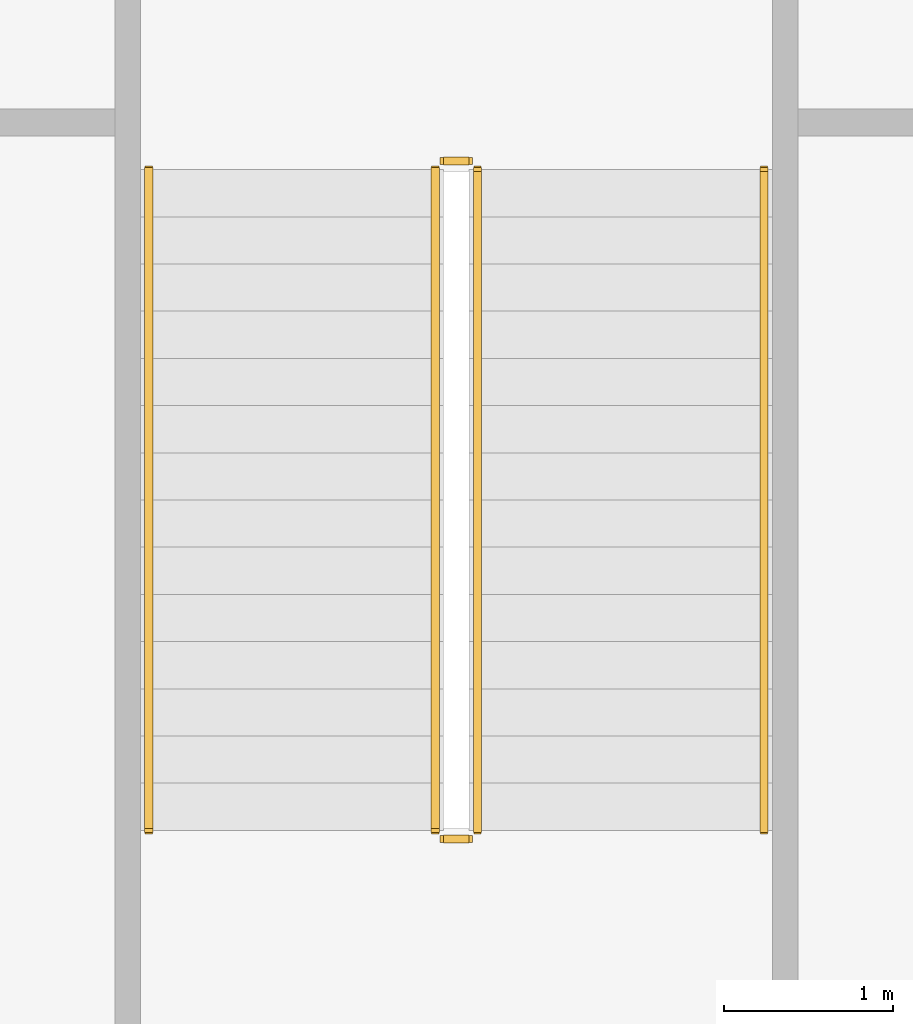
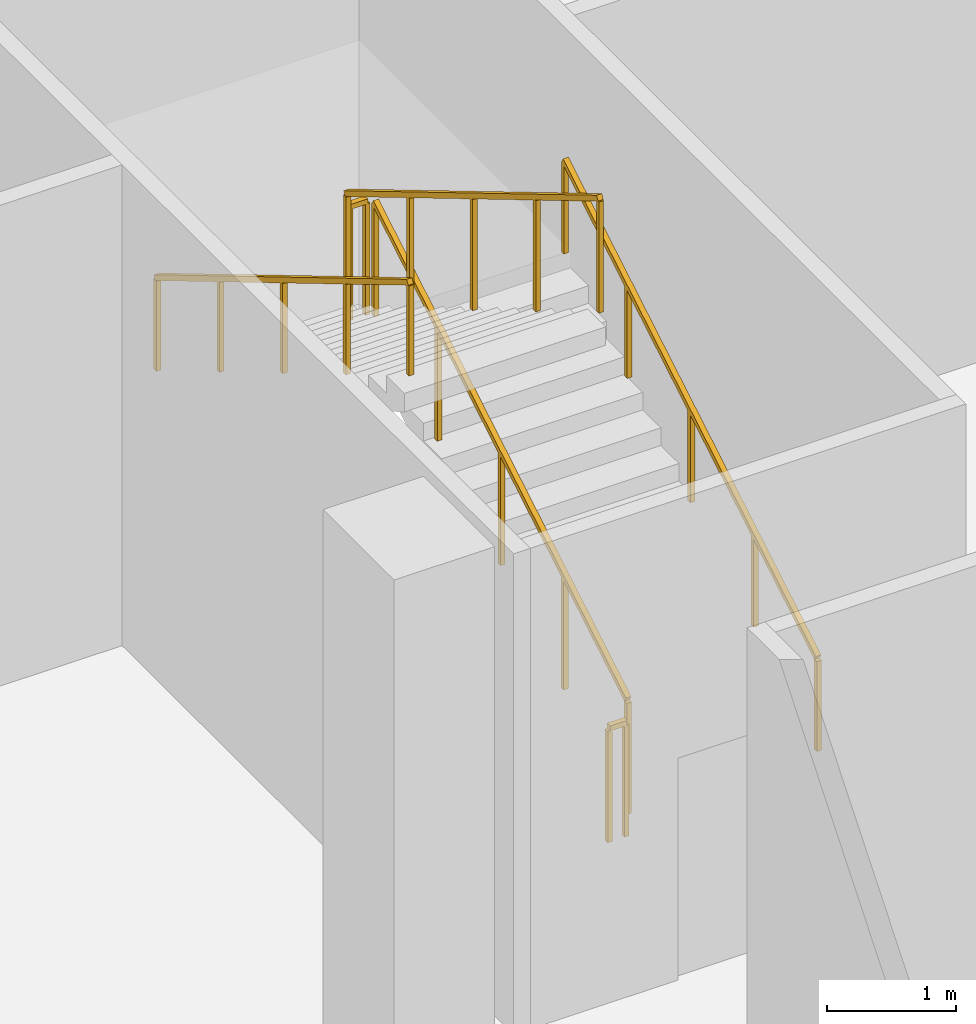
# One storey, part 12 of 15: 6 railings.
"""IFC4 building model written with IfcOpenShell, lengths in metres."""

from ifc_helpers import new_model, si_unit, direction, frame, origin, origin_2d, place, context, subcontext, project, spatial, rectangle, extrude, material, type_object, element, save


model = new_model("IFC4")

# Units and contexts
model_context = context("Model", 3, precision=1e-05, world=origin(), true_north=direction((0.0, 1.0)))
body_context = subcontext(model_context, "Body", "Model", "MODEL_VIEW")
ifc_project = project(units=[si_unit("LENGTHUNIT", "METRE"), si_unit("AREAUNIT", "SQUARE_METRE"), si_unit("VOLUMEUNIT", "CUBIC_METRE"), si_unit("PLANEANGLEUNIT", "RADIAN"), si_unit("MASSUNIT", "GRAM", prefix="KILO")], contexts=[model_context])

# Site, building, storey
site_placement = place(None, origin())
site = spatial("IfcSite", under=ifc_project, at=site_placement, CompositionType="ELEMENT")
building_placement = place(site_placement, origin())
building = spatial("IfcBuilding", under=site, at=building_placement, Name="Alderwake Tower", CompositionType="ELEMENT")
storey_placement = place(building_placement, frame((0.0, 0.0, 13.5)))
storey = spatial("IfcBuildingStorey", under=building, at=storey_placement, Name="L02", CompositionType="ELEMENT", Elevation=13.5)

# Railings
ifc_material_1 = material(Name="Stainless steel guard", Category="steel")
railing_type_1 = type_object("IfcRailingType", Name="Stair guard 1100", PredefinedType="GUARDRAIL", material=ifc_material_1)
railing_1_placement = place(storey_placement, frame((67.0, 25.800048828125, 0.166748046875)))
element("IfcRailing", 1, at=railing_1_placement, inside=storey, type_object=railing_type_1, Name="L02 ST-P4 stair guard 1", PredefinedType="GUARDRAIL", context=body_context, shape_type="SweptSolid", body=[
    extrude(rectangle(XDim=0.048095703125, YDim=0.048095703125, at=origin_2d()), frame((0.0, 0.0, 1.076171875), z_axis=(0.0, 0.859296244711, 0.511478214419), x_axis=(-1.0, 0.0, 0.0)), (0.0, 0.0, 1.0), 4.561767578125),
    extrude(rectangle(XDim=0.0419921875, YDim=0.0419921875, at=origin_2d()), frame((0.0, 0.0, 0.0), z_axis=(0.0, 0.0, 1.0), x_axis=(0.0, 1.0, 0.0)), (0.0, 0.0, 1.0), 1.052001953125),
    extrude(rectangle(XDim=0.0419921875, YDim=0.0419921875, at=origin_2d()), frame((0.0, 0.97998046875, 0.583251953125), z_axis=(0.0, 0.0, 1.0), x_axis=(0.0, 1.0, 0.0)), (0.0, 0.0, 1.0), 1.052001953125),
    extrude(rectangle(XDim=0.0419921875, YDim=0.0419921875, at=origin_2d()), frame((0.0, 1.9599609375, 1.16650390625), z_axis=(0.0, 0.0, 1.0), x_axis=(0.0, 1.0, 0.0)), (0.0, 0.0, 1.0), 1.052001953125),
    extrude(rectangle(XDim=0.0419921875, YDim=0.0419921875, at=origin_2d()), frame((0.0, 2.93994140625, 1.75), z_axis=(0.0, 0.0, 1.0), x_axis=(0.0, 1.0, 0.0)), (0.0, 0.0, 1.0), 1.052001953125),
    extrude(rectangle(XDim=0.0419921875, YDim=0.0419921875, at=origin_2d()), frame((0.0, 3.919921875, 2.333251953125), z_axis=(0.0, 0.0, 1.0), x_axis=(0.0, 1.0, 0.0)), (0.0, 0.0, 1.0), 1.052001953125),
])
railing_2_placement = place(storey_placement, frame((66.949951171875, 29.77001953125, 2.5)))
element("IfcRailing", 2, at=railing_2_placement, inside=storey, type_object=railing_type_1, Name="L02 ST-P4 stair guard 2", PredefinedType="GUARDRAIL", context=body_context, shape_type="SweptSolid", body=[
    extrude(rectangle(XDim=0.048095703125, YDim=0.048095703125, at=origin_2d()), frame((0.0, 0.0, 1.076171875), z_axis=(-1.0, 0.0, 0.0), x_axis=(0.0, -1.0, 0.0)), (0.0, 0.0, 1.0), 0.14990234375),
    extrude(rectangle(XDim=0.0419921875, YDim=0.0419921875, at=origin_2d()), frame((0.0, 0.0, 0.0), z_axis=(0.0, 0.0, 1.0), x_axis=(-1.0, 0.0, 0.0)), (0.0, 0.0, 1.0), 1.052001953125),
    extrude(rectangle(XDim=0.0419921875, YDim=0.0419921875, at=origin_2d()), frame((-0.14990234375, 0.0, 0.0), z_axis=(0.0, 0.0, 1.0), x_axis=(-1.0, 0.0, 0.0)), (0.0, 0.0, 1.0), 1.052001953125),
])
railing_3_placement = place(storey_placement, frame((66.75, 29.719970703125, 2.666748046875)))
element("IfcRailing", 3, at=railing_3_placement, inside=storey, type_object=railing_type_1, Name="L02 ST-P4 stair guard 3", PredefinedType="GUARDRAIL", context=body_context, shape_type="SweptSolid", body=[
    extrude(rectangle(XDim=0.048095703125, YDim=0.048095703125, at=origin_2d()), frame((0.0, 0.0, 1.076171875), z_axis=(0.0, -0.859296244711, 0.511478214419), x_axis=(1.0, 0.0, 0.0)), (0.0, 0.0, 1.0), 4.561767578125),
    extrude(rectangle(XDim=0.0419921875, YDim=0.0419921875, at=origin_2d()), frame((0.0, 0.0, 0.0), z_axis=(0.0, 0.0, 1.0), x_axis=(0.0, -1.0, 0.0)), (0.0, 0.0, 1.0), 1.052001953125),
    extrude(rectangle(XDim=0.0419921875, YDim=0.0419921875, at=origin_2d()), frame((0.0, -0.97998046875, 0.583251953125), z_axis=(0.0, 0.0, 1.0), x_axis=(0.0, -1.0, 0.0)), (0.0, 0.0, 1.0), 1.052001953125),
    extrude(rectangle(XDim=0.0419921875, YDim=0.0419921875, at=origin_2d()), frame((0.0, -1.9599609375, 1.16650390625), z_axis=(0.0, 0.0, 1.0), x_axis=(0.0, -1.0, 0.0)), (0.0, 0.0, 1.0), 1.052001953125),
    extrude(rectangle(XDim=0.0419921875, YDim=0.0419921875, at=origin_2d()), frame((0.0, -2.93994140625, 1.75), z_axis=(0.0, 0.0, 1.0), x_axis=(0.0, -1.0, 0.0)), (0.0, 0.0, 1.0), 1.052001953125),
    extrude(rectangle(XDim=0.0419921875, YDim=0.0419921875, at=origin_2d()), frame((0.0, -3.919921875, 2.333251953125), z_axis=(0.0, 0.0, 1.0), x_axis=(0.0, -1.0, 0.0)), (0.0, 0.0, 1.0), 1.052001953125),
])
railing_4_placement = place(storey_placement, frame((66.949951171875, 25.75, 0.0)))
element("IfcRailing", 4, at=railing_4_placement, inside=storey, type_object=railing_type_1, Name="L02 ST-P4 stair guard 4", PredefinedType="GUARDRAIL", context=body_context, shape_type="SweptSolid", body=[
    extrude(rectangle(XDim=0.048095703125, YDim=0.048095703125, at=origin_2d()), frame((0.0, 0.0, 1.076171875), z_axis=(-1.0, 0.0, 0.0), x_axis=(0.0, -1.0, 0.0)), (0.0, 0.0, 1.0), 0.14990234375),
    extrude(rectangle(XDim=0.0419921875, YDim=0.0419921875, at=origin_2d()), frame((0.0, 0.0, 0.0), z_axis=(0.0, 0.0, 1.0), x_axis=(-1.0, 0.0, 0.0)), (0.0, 0.0, 1.0), 1.052001953125),
    extrude(rectangle(XDim=0.0419921875, YDim=0.0419921875, at=origin_2d()), frame((-0.14990234375, 0.0, 0.0), z_axis=(0.0, 0.0, 1.0), x_axis=(-1.0, 0.0, 0.0)), (0.0, 0.0, 1.0), 1.052001953125),
])
ifc_material_2 = material(Name="Stainless steel handrail", Category="steel")
railing_type_2 = type_object("IfcRailingType", Name="Stair handrail 900", PredefinedType="HANDRAIL", material=ifc_material_2)
railing_5_placement = place(storey_placement, frame((68.699951171875, 25.800048828125, 0.166748046875)))
element("IfcRailing", 5, at=railing_5_placement, inside=storey, type_object=railing_type_2, Name="L02 ST-P4 stair handrail 1", PredefinedType="HANDRAIL", context=body_context, shape_type="SweptSolid", body=[
    extrude(rectangle(XDim=0.048095703125, YDim=0.048095703125, at=origin_2d()), frame((0.0, 0.0, 0.8759765625), z_axis=(0.0, 0.859296244711, 0.511478214419), x_axis=(-1.0, 0.0, 0.0)), (0.0, 0.0, 1.0), 4.561767578125),
    extrude(rectangle(XDim=0.0419921875, YDim=0.0419921875, at=origin_2d()), frame((0.0, 0.0, 0.0), z_axis=(0.0, 0.0, 1.0), x_axis=(0.0, 1.0, 0.0)), (0.0, 0.0, 1.0), 0.851806640625),
    extrude(rectangle(XDim=0.0419921875, YDim=0.0419921875, at=origin_2d()), frame((0.0, 0.97998046875, 0.583251953125), z_axis=(0.0, 0.0, 1.0), x_axis=(0.0, 1.0, 0.0)), (0.0, 0.0, 1.0), 0.851806640625),
    extrude(rectangle(XDim=0.0419921875, YDim=0.0419921875, at=origin_2d()), frame((0.0, 1.9599609375, 1.16650390625), z_axis=(0.0, 0.0, 1.0), x_axis=(0.0, 1.0, 0.0)), (0.0, 0.0, 1.0), 0.851806640625),
    extrude(rectangle(XDim=0.0419921875, YDim=0.0419921875, at=origin_2d()), frame((0.0, 2.93994140625, 1.75), z_axis=(0.0, 0.0, 1.0), x_axis=(0.0, 1.0, 0.0)), (0.0, 0.0, 1.0), 0.851806640625),
    extrude(rectangle(XDim=0.0419921875, YDim=0.0419921875, at=origin_2d()), frame((0.0, 3.919921875, 2.333251953125), z_axis=(0.0, 0.0, 1.0), x_axis=(0.0, 1.0, 0.0)), (0.0, 0.0, 1.0), 0.851806640625),
])
railing_6_placement = place(storey_placement, frame((65.050048828125, 29.719970703125, 2.666748046875)))
element("IfcRailing", 6, at=railing_6_placement, inside=storey, type_object=railing_type_2, Name="L02 ST-P4 stair handrail 2", PredefinedType="HANDRAIL", context=body_context, shape_type="SweptSolid", body=[
    extrude(rectangle(XDim=0.048095703125, YDim=0.048095703125, at=origin_2d()), frame((0.0, 0.0, 0.8759765625), z_axis=(0.0, -0.859296244711, 0.511478214419), x_axis=(1.0, 0.0, 0.0)), (0.0, 0.0, 1.0), 4.561767578125),
    extrude(rectangle(XDim=0.0419921875, YDim=0.0419921875, at=origin_2d()), frame((0.0, 0.0, 0.0), z_axis=(0.0, 0.0, 1.0), x_axis=(0.0, -1.0, 0.0)), (0.0, 0.0, 1.0), 0.851806640625),
    extrude(rectangle(XDim=0.0419921875, YDim=0.0419921875, at=origin_2d()), frame((0.0, -0.97998046875, 0.583251953125), z_axis=(0.0, 0.0, 1.0), x_axis=(0.0, -1.0, 0.0)), (0.0, 0.0, 1.0), 0.851806640625),
    extrude(rectangle(XDim=0.0419921875, YDim=0.0419921875, at=origin_2d()), frame((0.0, -1.9599609375, 1.16650390625), z_axis=(0.0, 0.0, 1.0), x_axis=(0.0, -1.0, 0.0)), (0.0, 0.0, 1.0), 0.851806640625),
    extrude(rectangle(XDim=0.0419921875, YDim=0.0419921875, at=origin_2d()), frame((0.0, -2.93994140625, 1.75), z_axis=(0.0, 0.0, 1.0), x_axis=(0.0, -1.0, 0.0)), (0.0, 0.0, 1.0), 0.851806640625),
    extrude(rectangle(XDim=0.0419921875, YDim=0.0419921875, at=origin_2d()), frame((0.0, -3.919921875, 2.333251953125), z_axis=(0.0, 0.0, 1.0), x_axis=(0.0, -1.0, 0.0)), (0.0, 0.0, 1.0), 0.851806640625),
])

save(model, "model.ifc")
